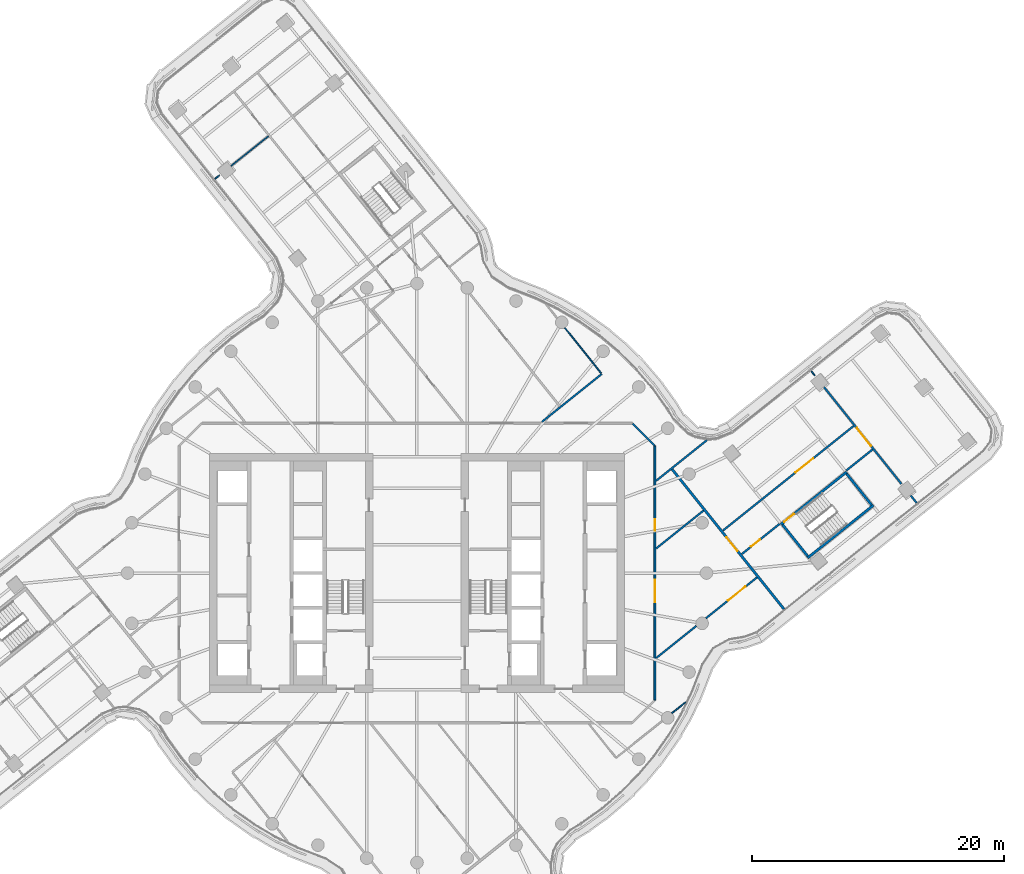
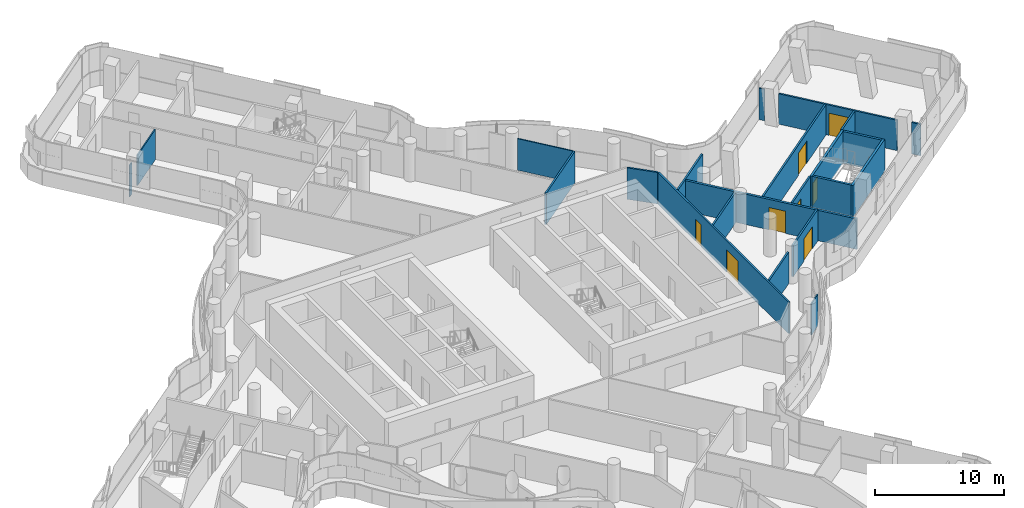
# One storey, part 22 of 31: 22 walls, 8 doors, 8 openings.
"""IFC4 building model written with IfcOpenShell, lengths in metres."""

from ifc_helpers import new_model, si_unit, direction, frame, frame_2d, origin, place, context, subcontext, project, spatial, polyline, rectangle, outline, extrude, material, layer, layer_set, type_object, element, fill, save


model = new_model("IFC4")

# Units and contexts
model_context = context("Model", 3, precision=1e-05, world=origin(), true_north=direction((0.0, 1.0)))
body_context = subcontext(model_context, "Body", "Model", "MODEL_VIEW")
ifc_project = project(units=[si_unit("LENGTHUNIT", "METRE"), si_unit("AREAUNIT", "SQUARE_METRE"), si_unit("VOLUMEUNIT", "CUBIC_METRE"), si_unit("PLANEANGLEUNIT", "RADIAN"), si_unit("MASSUNIT", "GRAM", prefix="KILO")], contexts=[model_context])

# Site, building, storey
site_placement = place(None, origin())
site = spatial("IfcSite", under=ifc_project, at=site_placement, CompositionType="ELEMENT")
building_placement = place(site_placement, origin())
building = spatial("IfcBuilding", under=site, at=building_placement, Name="Tamarind Cross Interchange Tower", CompositionType="ELEMENT")
storey_placement = place(building_placement, frame((0.0, 0.0, 174.25)))
storey = spatial("IfcBuildingStorey", under=building, at=storey_placement, Name="L43", CompositionType="ELEMENT", Elevation=174.25)

# Walls
ifc_material_1 = material(Name="Gypsum board partition on steel studs", Category="steel")
ifc_layer_1 = layer(ifc_material_1, 0.10009765625)
ifc_layer_set_1 = layer_set([ifc_layer_1], Name="Gypsum board partition on steel studs")
wall_type_1 = type_object("IfcWallType", Name="Partition 100 mm EI 90", PredefinedType="PARTITIONING", material=ifc_layer_set_1)
wall_1_placement = place(storey_placement, frame((11.751708984375, 19.47607421875, 0.0), z_axis=(0.0, 0.0, 1.0), x_axis=(0.624636960835, -0.780915275276, 0.0)))
element("IfcWall", 1, at=wall_1_placement, inside=storey, type_object=wall_type_1, Name="Partition L43-030", PredefinedType="PARTITIONING", context=body_context, shape_type="SweptSolid", body=[
    extrude(rectangle(XDim=4.61328125, YDim=0.10009765625, at=frame_2d((2.306640625, 0.0))), origin(), (0.0, 0.0, 1.0), 2.969970703125),
])
for number, where, z_axis, x_axis, name in (
    (2, (31.3134765625, 16.052490234375, 0.0), (0.0, 0.0, 1.0), (0.624501568447, -0.781023553426, 0.0), "Partition L43-033"),
    (3, (-16.052490234375, 31.3134765625, 0.0), (0.0, 0.0, 1.0), (0.781023553426, 0.624501568447, 0.0), "Partition L43-050"),
):
    element("IfcWall", number, at=place(storey_placement, frame(where, z_axis=z_axis, x_axis=x_axis)), inside=storey, type_object=wall_type_1, Name=name, PredefinedType="PARTITIONING", context=body_context, shape_type="SweptSolid", body=[
        extrude(rectangle(XDim=0.461669921875, YDim=0.10009765625, at=frame_2d((0.23095703125, 0.0))), origin(), (0.0, 0.0, 1.0), 2.969970703125),
    ])
wall_2_placement = place(storey_placement, frame((-14.76611328125, 32.342529296875, 0.0), z_axis=(0.0, 0.0, 1.0), x_axis=(0.780906464831, 0.624647975411, 0.0)))
element("IfcWall", 4, at=wall_2_placement, inside=storey, type_object=wall_type_1, Name="Partition L43-051", PredefinedType="PARTITIONING", context=body_context, shape_type="SweptSolid", body=[
    extrude(rectangle(XDim=3.795166015625, YDim=0.10009765625, at=frame_2d((1.8974609375, 0.0))), origin(), (0.0, 0.0, 1.0), 2.8701171875),
])
wall_3_placement = place(storey_placement, frame((20.248779296875, -11.1337890625, 0.0), z_axis=(0.0, 0.0, 1.0), x_axis=(0.780920261551, 0.62463072699, 0.0)))
element("IfcWall", 5, at=wall_3_placement, inside=storey, type_object=wall_type_1, Name="Partition L43-065", PredefinedType="PARTITIONING", context=body_context, shape_type="SweptSolid", body=[
    extrude(rectangle(XDim=1.388671875, YDim=0.10009765625, at=frame_2d((0.6943359375, 0.0))), origin(), (0.0, 0.0, 1.0), 2.969970703125),
])

# Wall, opening, door
ifc_layer_2 = layer(ifc_material_1, 0.14990234375)
ifc_layer_set_2 = layer_set([ifc_layer_2], Name="Gypsum board partition on steel studs")
wall_type_2 = type_object("IfcWallType", Name="Partition 150 mm EI 120", PredefinedType="PARTITIONING", material=ifc_layer_set_2)
wall_4_placement = place(storey_placement, frame((32.342529296875, 14.76611328125, 0.0), z_axis=(0.0, 0.0, 1.0), x_axis=(0.624661711232, -0.780895477334, 0.0)))
wall_4 = element("IfcWall", 6, at=wall_4_placement, inside=storey, type_object=wall_type_2, Name="Partition L43-034", PredefinedType="PARTITIONING", context=body_context, shape_type="SweptSolid", body=[
    extrude(rectangle(XDim=9.824462890625, YDim=0.14990234375, at=frame_2d((4.912109375, 0.0))), origin(), (0.0, 0.0, 1.0), 2.8701171875),
])
opening_1_placement = place(wall_4_placement, frame((4.170166015625, 0.0, 0.0)))
opening_1 = element("IfcOpeningElement", 7, at=opening_1_placement, cuts=wall_4, Name="Opening D18", PredefinedType="OPENING", context=body_context, shape_type="SweptSolid", body=[
    extrude(rectangle(XDim=1.800048828125, YDim=2.10009765625, at=frame_2d((0.89990234375, 1.050048828125))), frame((0.0, 0.0849609375, 0.0), z_axis=(0.0, -1.0, 0.0), x_axis=(1.0, 0.0, 0.0)), (0.0, 0.0, 1.0), 0.169921875),
])
ifc_material_2 = material(Name="Fire-resisting door set")
door_type_1 = type_object("IfcDoorType", Name="Interior door 1800 x 2100 FD60S", OperationType="DOUBLE_DOOR_SINGLE_SWING", PredefinedType="DOOR", material=ifc_material_2)
door_1_placement = place(opening_1_placement, frame((1.800048828125, 0.0, 0.0), z_axis=(0.0, 0.0, 1.0), x_axis=(-1.0, 0.0, 0.0)))
door_1 = element("IfcDoor", 8, at=door_1_placement, inside=storey, type_object=door_type_1, Name="Door D18", OperationType="DOUBLE_DOOR_SINGLE_SWING", OverallHeight=2.10009765625, OverallWidth=1.800048828125, PredefinedType="DOOR", context=body_context, shape_type="SweptSolid", body=[
    extrude(rectangle(XDim=1.800048828125, YDim=2.10009765625, at=frame_2d((0.89990234375, 1.050048828125))), frame((0.0, 0.02490234375, 0.0), z_axis=(0.0, -1.0, 0.0), x_axis=(1.0, 0.0, 0.0)), (0.0, 0.0, 1.0), 0.050048828125),
])
fill(opening_1, door_1)

# Walls
wall_5_placement = place(storey_placement, frame((39.22021484375, 6.16845703125, 0.0), z_axis=(0.0, 0.0, 1.0), x_axis=(0.624616596662, -0.780931563695, 0.0)))
element("IfcWall", 9, at=wall_5_placement, inside=storey, type_object=wall_type_2, Name="Partition L43-035", PredefinedType="PARTITIONING", context=body_context, shape_type="SweptSolid", body=[
    extrude(rectangle(XDim=0.759033203125, YDim=0.14990234375, at=frame_2d((0.37939453125, 0.0))), origin(), (0.0, 0.0, 1.0), 2.969970703125),
])
wall_6_placement = place(storey_placement, frame((17.12841796875, 11.87158203125, 0.0), z_axis=(0.0, 0.0, 1.0), x_axis=(0.707106781187, -0.707106781187, 0.0)))
element("IfcWall", 10, at=wall_6_placement, inside=storey, type_object=wall_type_2, Name="Partition L43-037", PredefinedType="PARTITIONING", context=body_context, shape_type="SweptSolid", body=[
    extrude(rectangle(XDim=2.465087890625, YDim=0.14990234375, at=frame_2d((1.232421875, 0.0))), origin(), (0.0, 0.0, 1.0), 2.969970703125),
])
wall_7_placement = place(storey_placement, frame((9.930419921875, 12.015625, 0.0), z_axis=(0.0, 0.0, 1.0), x_axis=(0.780892305739, 0.624665676052, 0.0)))
element("IfcWall", 11, at=wall_7_placement, inside=storey, type_object=wall_type_2, Name="Partition L43-063", PredefinedType="PARTITIONING", context=body_context, shape_type="SweptSolid", body=[
    extrude(rectangle(XDim=6.082275390625, YDim=0.14990234375, at=frame_2d((3.041015625, 0.0))), origin(), (0.0, 0.0, 1.0), 2.969970703125),
])
wall_8_placement = place(storey_placement, frame((19.00537109375, -6.749755859375, 0.0), z_axis=(0.0, 0.0, 1.0), x_axis=(0.780862978875, 0.624702335694, 0.0)))
element("IfcWall", 12, at=wall_8_placement, inside=storey, type_object=wall_type_2, Name="Partition L43-066", PredefinedType="PARTITIONING", context=body_context, shape_type="SweptSolid", body=[
    extrude(rectangle(XDim=4.085205078125, YDim=0.14990234375, at=frame_2d((2.04248046875, 0.0))), origin(), (0.0, 0.0, 1.0), 2.969970703125),
])

# Wall, opening, door
wall_9_placement = place(storey_placement, frame((22.948486328125, -3.59521484375, 0.0), z_axis=(0.0, 0.0, 1.0), x_axis=(0.780855081302, 0.624712207344, 0.0)))
wall_9 = element("IfcWall", 13, at=wall_9_placement, inside=storey, type_object=wall_type_2, Name="Partition L43-067", PredefinedType="PARTITIONING", context=body_context, shape_type="SweptSolid", body=[
    extrude(rectangle(XDim=5.205078125, YDim=0.14990234375, at=frame_2d((2.6025390625, 0.0))), origin(), (0.0, 0.0, 1.0), 2.969970703125),
])
opening_2_placement = place(wall_9_placement, frame((2.25, 0.0, 0.0)))
opening_2 = element("IfcOpeningElement", 14, at=opening_2_placement, cuts=wall_9, Name="Opening D37", PredefinedType="OPENING", context=body_context, shape_type="SweptSolid", body=[
    extrude(rectangle(XDim=1.800048828125, YDim=2.10009765625, at=frame_2d((0.89990234375, 1.050048828125))), frame((0.0, 0.0849609375, 0.0), z_axis=(0.0, -1.0, 0.0), x_axis=(1.0, 0.0, 0.0)), (0.0, 0.0, 1.0), 0.169921875),
])
door_2_placement = place(opening_2_placement, frame((1.800048828125, 0.0, 0.0), z_axis=(0.0, 0.0, 1.0), x_axis=(-1.0, 0.0, 0.0)))
door_2 = element("IfcDoor", 15, at=door_2_placement, inside=storey, type_object=door_type_1, Name="Door D37", OperationType="DOUBLE_DOOR_SINGLE_SWING", OverallHeight=2.10009765625, OverallWidth=1.800048828125, PredefinedType="DOOR", context=body_context, shape_type="SweptSolid", body=[
    extrude(rectangle(XDim=1.800048828125, YDim=2.10009765625, at=frame_2d((0.89990234375, 1.050048828125))), frame((0.0, 0.02490234375, 0.0), z_axis=(0.0, -1.0, 0.0), x_axis=(1.0, 0.0, 0.0)), (0.0, 0.0, 1.0), 0.050048828125),
])
fill(opening_2, door_2)

# Walls
wall_10_placement = place(storey_placement, frame((19.00537109375, 1.958251953125, 0.0), z_axis=(0.0, 0.0, 1.0), x_axis=(0.780878701352, 0.624682682468, 0.0)))
element("IfcWall", 16, at=wall_10_placement, inside=storey, type_object=wall_type_2, Name="Partition L43-068", PredefinedType="PARTITIONING", context=body_context, shape_type="SweptSolid", body=[
    extrude(rectangle(XDim=4.815673828125, YDim=0.14990234375, at=frame_2d((2.40771484375, 0.0))), origin(), (0.0, 0.0, 1.0), 2.8701171875),
])
wall_11_placement = place(storey_placement, frame((19.00537109375, 7.33740234375, 0.0), z_axis=(0.0, 0.0, 1.0), x_axis=(0.780882638199, 0.624677761217, 0.0)))
element("IfcWall", 17, at=wall_11_placement, inside=storey, type_object=wall_type_2, Name="Partition L43-069", PredefinedType="PARTITIONING", context=body_context, shape_type="SweptSolid", body=[
    extrude(rectangle(XDim=5.167236328125, YDim=0.14990234375, at=frame_2d((2.58349609375, 0.0))), origin(), (0.0, 0.0, 1.0), 2.969970703125),
])

# Wall, opening, door
wall_12_placement = place(storey_placement, frame((24.311767578125, 3.385986328125, 0.0), z_axis=(0.0, 0.0, 1.0), x_axis=(0.78088671793, 0.624672661287, 0.0)))
wall_12 = element("IfcWall", 18, at=wall_12_placement, inside=storey, type_object=wall_type_2, Name="Partition L43-070", PredefinedType="PARTITIONING", context=body_context, shape_type="SweptSolid", body=[
    extrude(rectangle(XDim=13.300048828125, YDim=0.14990234375, at=frame_2d((6.64990234375, 0.0))), origin(), (0.0, 0.0, 1.0), 2.8701171875),
])
opening_3_placement = place(wall_12_placement, frame((7.3798828125, 0.0, 0.0)))
opening_3 = element("IfcOpeningElement", 19, at=opening_3_placement, cuts=wall_12, Name="Opening D38", PredefinedType="OPENING", context=body_context, shape_type="SweptSolid", body=[
    extrude(rectangle(XDim=1.800048828125, YDim=2.10009765625, at=frame_2d((0.89990234375, 1.050048828125))), frame((0.0, 0.0849609375, 0.0), z_axis=(0.0, -1.0, 0.0), x_axis=(1.0, 0.0, 0.0)), (0.0, 0.0, 1.0), 0.169921875),
])
door_3_placement = place(opening_3_placement, frame((1.800048828125, 0.0, 0.0), z_axis=(0.0, 0.0, 1.0), x_axis=(-1.0, 0.0, 0.0)))
door_3 = element("IfcDoor", 20, at=door_3_placement, inside=storey, type_object=door_type_1, Name="Door D38", OperationType="DOUBLE_DOOR_SINGLE_SWING", OverallHeight=2.10009765625, OverallWidth=1.800048828125, PredefinedType="DOOR", context=body_context, shape_type="SweptSolid", body=[
    extrude(rectangle(XDim=1.800048828125, YDim=2.10009765625, at=frame_2d((0.89990234375, 1.050048828125))), frame((0.0, 0.02490234375, 0.0), z_axis=(0.0, -1.0, 0.0), x_axis=(1.0, 0.0, 0.0)), (0.0, 0.0, 1.0), 0.050048828125),
])
fill(opening_3, door_3)

wall_13_placement = place(storey_placement, frame((25.810791015625, 1.511962890625, 0.0), z_axis=(0.0, 0.0, 1.0), x_axis=(0.780881214, 0.624679541542, 0.0)))
wall_13 = element("IfcWall", 21, at=wall_13_placement, inside=storey, type_object=wall_type_2, Name="Partition L43-071", PredefinedType="PARTITIONING", context=body_context, shape_type="SweptSolid", body=[
    extrude(rectangle(XDim=3.84033203125, YDim=0.14990234375, at=frame_2d((1.920166015625, 0.0))), origin(), (0.0, 0.0, 1.0), 2.8701171875),
])
opening_4_placement = place(wall_13_placement, frame((0.929931640625, 0.0, 0.0)))
opening_4 = element("IfcOpeningElement", 22, at=opening_4_placement, cuts=wall_13, Name="Opening D39", PredefinedType="OPENING", context=body_context, shape_type="SweptSolid", body=[
    extrude(rectangle(XDim=0.89990234375, YDim=2.10009765625, at=frame_2d((0.449951171875, 1.050048828125))), frame((0.0, 0.0849609375, 0.0), z_axis=(0.0, -1.0, 0.0), x_axis=(1.0, 0.0, 0.0)), (0.0, 0.0, 1.0), 0.169921875),
])
door_type_2 = type_object("IfcDoorType", Name="Interior door 900 x 2100 FD60S", OperationType="SINGLE_SWING_LEFT", PredefinedType="DOOR", material=ifc_material_2)
door_4_placement = place(opening_4_placement, frame((0.89990234375, 0.0, 0.0), z_axis=(0.0, 0.0, 1.0), x_axis=(-1.0, 0.0, 0.0)))
door_4 = element("IfcDoor", 23, at=door_4_placement, inside=storey, type_object=door_type_2, Name="Door D39", OperationType="SINGLE_SWING_LEFT", OverallHeight=2.10009765625, OverallWidth=0.89990234375, PredefinedType="DOOR", context=body_context, shape_type="SweptSolid", body=[
    extrude(rectangle(XDim=0.89990234375, YDim=2.10009765625, at=frame_2d((0.449951171875, 1.050048828125))), frame((0.0, 0.02490234375, 0.0), z_axis=(0.0, -1.0, 0.0), x_axis=(1.0, 0.0, 0.0)), (0.0, 0.0, 1.0), 0.050048828125),
])
fill(opening_4, door_4)

# Wall
wall_14_placement = place(storey_placement, frame((34.103271484375, 8.1455078125, 0.0), z_axis=(0.0, 0.0, 1.0), x_axis=(0.780877694737, 0.624683940775, 0.0)))
element("IfcWall", 24, at=wall_14_placement, inside=storey, type_object=wall_type_2, Name="Partition L43-072", PredefinedType="PARTITIONING", context=body_context, shape_type="SweptSolid", body=[
    extrude(rectangle(XDim=2.6806640625, YDim=0.14990234375, at=frame_2d((1.34033203125, 0.0))), origin(), (0.0, 0.0, 1.0), 2.8701171875),
])

# Wall, openings, doors
wall_15_placement = place(storey_placement, frame((18.89990234375, -10.10009765625, 0.0), z_axis=(0.0, 0.0, 1.0), x_axis=(0.0, 1.0, 0.0)))
wall_15 = element("IfcWall", 25, at=wall_15_placement, inside=storey, type_object=wall_type_2, Name="Partition L43-076", PredefinedType="PARTITIONING", context=body_context, shape_type="SweptSolid", body=[
    extrude(rectangle(XDim=20.2001953125, YDim=0.14990234375, at=frame_2d((10.10009765625, 0.0))), origin(), (0.0, 0.0, 1.0), 2.969970703125),
])
opening_5_placement = place(wall_15_placement, frame((7.76611328125, 0.0, 0.0)))
opening_5 = element("IfcOpeningElement", 26, at=opening_5_placement, cuts=wall_15, Name="Opening D42", PredefinedType="OPENING", context=body_context, shape_type="SweptSolid", body=[
    extrude(rectangle(XDim=1.800048828125, YDim=2.10009765625, at=frame_2d((0.89990234375, 1.050048828125))), frame((0.0, 0.0849609375, 0.0), z_axis=(0.0, -1.0, 0.0), x_axis=(1.0, 0.0, 0.0)), (0.0, 0.0, 1.0), 0.169921875),
])
opening_6_placement = place(wall_15_placement, frame((13.47412109375, 0.0, 0.0)))
opening_6 = element("IfcOpeningElement", 27, at=opening_6_placement, cuts=wall_15, Name="Opening D43", PredefinedType="OPENING", context=body_context, shape_type="SweptSolid", body=[
    extrude(rectangle(XDim=0.89990234375, YDim=2.10009765625, at=frame_2d((0.449951171875, 1.050048828125))), frame((0.0, 0.0849609375, 0.0), z_axis=(0.0, -1.0, 0.0), x_axis=(1.0, 0.0, 0.0)), (0.0, 0.0, 1.0), 0.169921875),
])
door_5_placement = place(opening_5_placement, origin())
door_5 = element("IfcDoor", 28, at=door_5_placement, inside=storey, type_object=door_type_1, Name="Door D42", OperationType="DOUBLE_DOOR_SINGLE_SWING", OverallHeight=2.10009765625, OverallWidth=1.800048828125, PredefinedType="DOOR", context=body_context, shape_type="SweptSolid", body=[
    extrude(rectangle(XDim=1.800048828125, YDim=2.10009765625, at=frame_2d((0.89990234375, 1.050048828125))), frame((0.0, 0.02490234375, 0.0), z_axis=(0.0, -1.0, 0.0), x_axis=(1.0, 0.0, 0.0)), (0.0, 0.0, 1.0), 0.050048828125),
])
fill(opening_5, door_5)
door_6_placement = place(opening_6_placement, frame((0.89990234375, 0.0, 0.0), z_axis=(0.0, 0.0, 1.0), x_axis=(-1.0, 0.0, 0.0)))
door_6 = element("IfcDoor", 29, at=door_6_placement, inside=storey, type_object=door_type_2, Name="Door D43", OperationType="SINGLE_SWING_RIGHT", OverallHeight=2.10009765625, OverallWidth=0.89990234375, PredefinedType="DOOR", context=body_context, shape_type="SweptSolid", body=[
    extrude(rectangle(XDim=0.89990234375, YDim=2.10009765625, at=frame_2d((0.449951171875, 1.050048828125))), frame((0.0, 0.02490234375, 0.0), z_axis=(0.0, -1.0, 0.0), x_axis=(1.0, 0.0, 0.0)), (0.0, 0.0, 1.0), 0.050048828125),
])
fill(opening_6, door_6)

# Wall, opening, door
ifc_layer_3 = layer(ifc_material_1, 0.199951171875)
ifc_layer_set_3 = layer_set([ifc_layer_3], Name="Gypsum board partition on steel studs")
wall_type_3 = type_object("IfcWallType", Name="Partition 200 mm EI 180", PredefinedType="PARTITIONING", material=ifc_layer_set_3)
wall_16_placement = place(storey_placement, frame((20.27001953125, 8.24658203125, 0.0), z_axis=(0.0, 0.0, 1.0), x_axis=(0.624684578179, -0.780877184828, 0.0)))
wall_16 = element("IfcWall", 30, at=wall_16_placement, inside=storey, type_object=wall_type_3, Name="Partition L43-032", PredefinedType="PARTITIONING", context=body_context, shape_type="SweptSolid", body=[
    extrude(rectangle(XDim=14.21923828125, YDim=0.199951171875, at=frame_2d((7.109619140625, 0.0))), origin(), (0.0, 0.0, 1.0), 2.8701171875),
])
opening_7_placement = place(wall_16_placement, frame((6.92041015625, 0.0, 0.0)))
opening_7 = element("IfcOpeningElement", 31, at=opening_7_placement, cuts=wall_16, Name="Opening D17", PredefinedType="OPENING", context=body_context, shape_type="SweptSolid", body=[
    extrude(rectangle(XDim=1.39990234375, YDim=2.10009765625, at=frame_2d((0.699951171875, 1.050048828125))), frame((0.0, 0.10986328125, 0.0), z_axis=(0.0, -1.0, 0.0), x_axis=(1.0, 0.0, 0.0)), (0.0, 0.0, 1.0), 0.219970703125),
])
door_type_3 = type_object("IfcDoorType", Name="Interior door 1400 x 2100 FD120S", OperationType="DOUBLE_DOOR_SINGLE_SWING", PredefinedType="DOOR", material=ifc_material_2)
door_7_placement = place(opening_7_placement, frame((1.39990234375, 0.0, 0.0), z_axis=(0.0, 0.0, 1.0), x_axis=(-1.0, 0.0, 0.0)))
door_7 = element("IfcDoor", 32, at=door_7_placement, inside=storey, type_object=door_type_3, Name="Door D17", OperationType="DOUBLE_DOOR_SINGLE_SWING", OverallHeight=2.10009765625, OverallWidth=1.39990234375, PredefinedType="DOOR", context=body_context, shape_type="SweptSolid", body=[
    extrude(rectangle(XDim=1.39990234375, YDim=2.10009765625, at=frame_2d((0.699951171875, 1.050048828125))), frame((0.0, 0.02490234375, 0.0), z_axis=(0.0, -1.0, 0.0), x_axis=(1.0, 0.0, 0.0)), (0.0, 0.0, 1.0), 0.050048828125),
])
fill(opening_7, door_7)

ifc_material_3 = material(Name="Concrete C40", Category="concrete")
ifc_layer_4 = layer(ifc_material_3, 0.199951171875)
ifc_layer_set_4 = layer_set([ifc_layer_4], Name="Concrete C40")
wall_type_4 = type_object("IfcWallType", Name="Stair shaft wall 200 mm Concrete C40", PredefinedType="SHEAR", material=ifc_layer_set_4)
wall_17_placement = place(storey_placement, frame((28.903076171875, 3.857177734375, -0.139892578125), z_axis=(0.0, 0.0, 1.0), x_axis=(0.780886584222, 0.624672828433, 0.0)))
wall_17 = element("IfcWall", 33, at=wall_17_placement, inside=storey, type_object=wall_type_4, Name="Core wall CWL-L43-ST3-H", PredefinedType="SHEAR", context=body_context, shape_type="SweptSolid", body=[
    extrude(rectangle(XDim=6.699951171875, YDim=0.199951171875, at=frame_2d((3.35009765625, 0.0))), origin(), (0.0, 0.0, 1.0), 3.010009765625),
])
opening_8_placement = place(wall_17_placement, frame((0.35009765625, 0.0, 0.0)))
opening_8 = element("IfcOpeningElement", 34, at=opening_8_placement, cuts=wall_17, Name="Opening ST3L43", PredefinedType="OPENING", context=body_context, shape_type="SweptSolid", body=[
    extrude(rectangle(XDim=1.0, YDim=2.10009765625, at=frame_2d((0.5, 1.050048828125))), frame((0.0, 0.10986328125, 0.0), z_axis=(0.0, -1.0, 0.0), x_axis=(1.0, 0.0, 0.0)), (0.0, 0.0, 1.0), 0.219970703125),
])
ifc_material_4 = material(Name="Steel, fire-resisting", Category="steel")
door_type_4 = type_object("IfcDoorType", Name="Core fire door 1000 x 2100 FD90", OperationType="SINGLE_SWING_LEFT", PredefinedType="DOOR", material=ifc_material_4)
door_8_placement = place(opening_8_placement, origin())
door_8 = element("IfcDoor", 35, at=door_8_placement, inside=storey, type_object=door_type_4, Name="L43 stair door ST3", OperationType="SINGLE_SWING_LEFT", OverallHeight=2.10009765625, OverallWidth=1.0, PredefinedType="DOOR", context=body_context, shape_type="SweptSolid", body=[
    extrude(rectangle(XDim=1.0, YDim=2.10009765625, at=frame_2d((0.5, 1.050048828125))), frame((0.0, 0.02490234375, 0.0), z_axis=(0.0, -1.0, 0.0), x_axis=(1.0, 0.0, 0.0)), (0.0, 0.0, 1.0), 0.050048828125),
])
fill(opening_8, door_8)

# Walls
wall_18_placement = place(storey_placement, frame((31.02685546875, 1.2021484375, -0.139892578125), z_axis=(0.0, 0.0, 1.0), x_axis=(0.780886584222, 0.624672828433, 0.0)))
element("IfcWall", 36, at=wall_18_placement, inside=storey, type_object=wall_type_4, Name="Core wall CWL-L43-ST3-C", PredefinedType="SHEAR", context=body_context, shape_type="SweptSolid", body=[
    extrude(rectangle(XDim=6.699951171875, YDim=0.199951171875, at=frame_2d((3.35009765625, 0.0))), origin(), (0.0, 0.0, 1.0), 3.010009765625),
])
wall_19_placement = place(storey_placement, frame((31.04248046875, 1.3427734375, -0.139892578125), z_axis=(0.0, 0.0, 1.0), x_axis=(-0.624648523514, 0.780906026403, 0.0)))
element("IfcWall", 37, at=wall_19_placement, inside=storey, type_object=wall_type_4, Name="Core wall CWL-L43-ST3-CE", PredefinedType="SHEAR", context=body_context, shape_type="SweptSolid", body=[
    extrude(rectangle(XDim=3.199951171875, YDim=0.199951171875, at=frame_2d((1.60009765625, 0.0))), origin(), (0.0, 0.0, 1.0), 3.010009765625),
])
wall_20_placement = place(storey_placement, frame((0.0, 0.0, -0.139892578125)))
element("IfcWall", 38, at=wall_20_placement, inside=storey, type_object=wall_type_4, Name="Core wall CWL-L43-ST3-CF", PredefinedType="SHEAR", context=body_context, shape_type="SweptSolid", body=[
    extrude(outline(polyline([(36.040283203125, 5.340576171875), (36.1962890625, 5.465576171875), (34.197509765625, 7.96435546875), (34.041259765625, 7.839599609375), (36.040283203125, 5.340576171875)])), origin(), (0.0, 0.0, 1.0), 3.010009765625),
])

save(model, "model.ifc")
